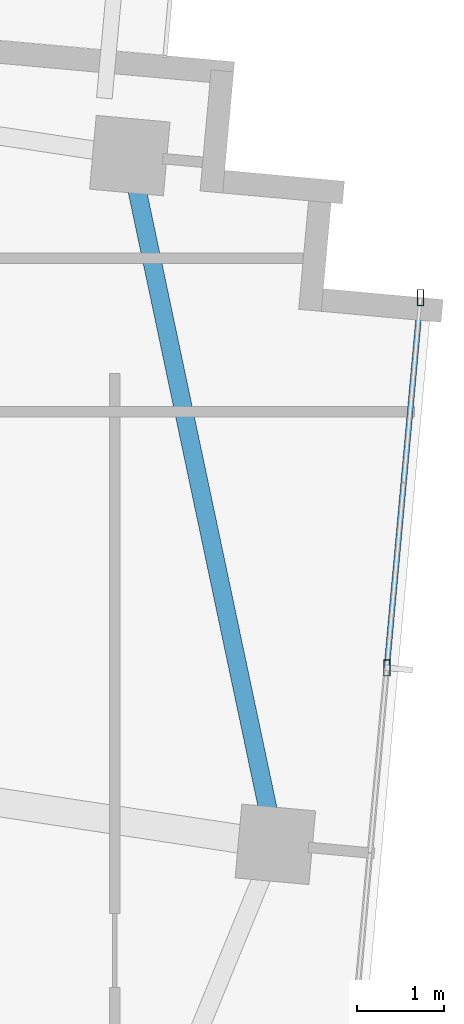
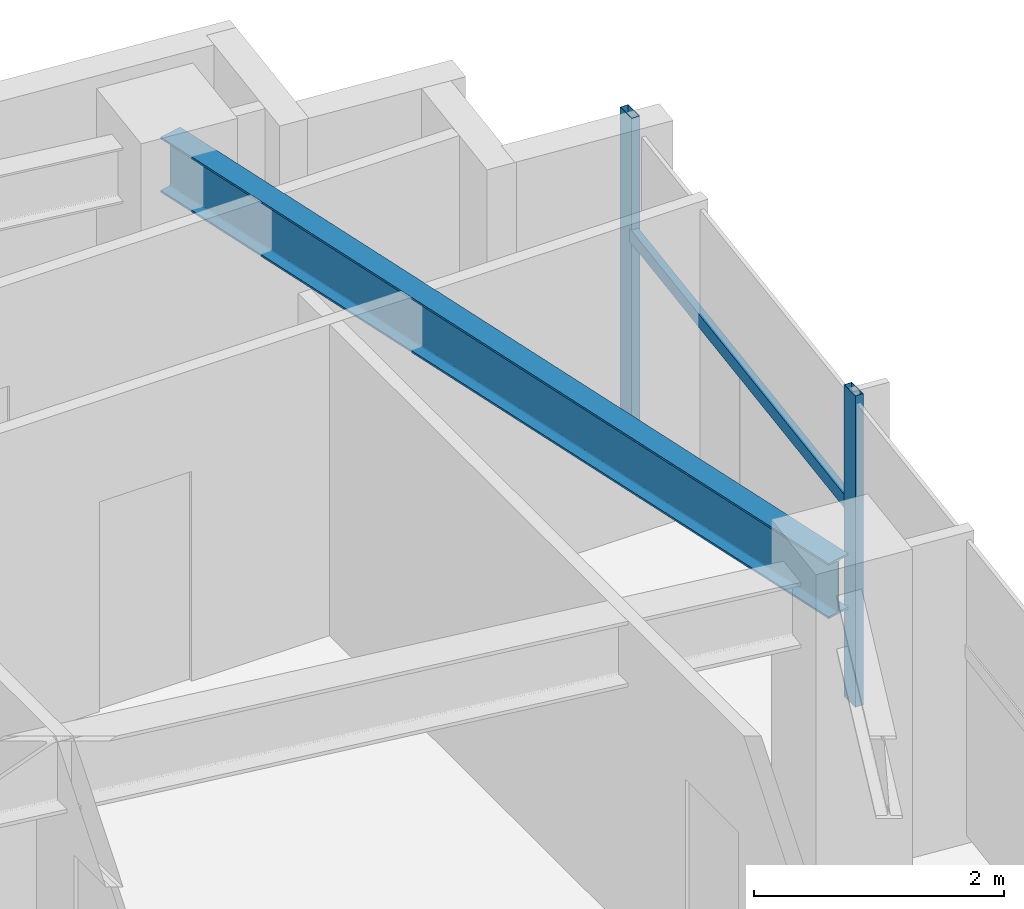
# One storey, part 14 of 22: 3 members, 1 beam, 1 element without a shape of its own.
"""IFC4 building model written with IfcOpenShell, lengths in metres."""

from ifc_helpers import new_model, si_unit, direction, frame, origin, origin_2d, place, context, subcontext, project, spatial, hollow_rectangle, i_section, extrude, source, transform, mapped, material, material_profile, profile_set, type_object, type_shapes, element, aggregate, save


model = new_model("IFC4")

# Units and contexts
model_context = context("Model", 3, precision=1e-05, world=origin(), true_north=direction((0.0, 1.0)))
body_context = subcontext(model_context, "Body", "Model", "MODEL_VIEW")
ifc_project = project(units=[si_unit("LENGTHUNIT", "METRE"), si_unit("AREAUNIT", "SQUARE_METRE"), si_unit("VOLUMEUNIT", "CUBIC_METRE"), si_unit("PLANEANGLEUNIT", "RADIAN"), si_unit("MASSUNIT", "GRAM", prefix="KILO")], contexts=[model_context])

# Site, building, storey
site_placement = place(None, origin())
site = spatial("IfcSite", under=ifc_project, at=site_placement, CompositionType="ELEMENT")
building_placement = place(site_placement, origin())
building = spatial("IfcBuilding", under=site, at=building_placement, Name="Astriad Promenade Condominiums", CompositionType="ELEMENT")
storey_placement = place(building_placement, frame((0.0, 0.0, 239.699951171875)))
storey = spatial("IfcBuildingStorey", under=building, at=storey_placement, Name="L69", CompositionType="ELEMENT", Elevation=239.699951171875)

# Beam
ifc_material_1 = material(Name="Steel ASTM A992 Grade 50", Category="steel")
ifc_material_profile_1 = material_profile(ifc_material_1, i_section(OverallWidth=0.210693359375, OverallDepth=0.53955078125, WebThickness=0.01171875, FlangeThickness=0.018798828125, FilletRadius=0.0166015625, at=origin_2d()), Name="W21X73")
ifc_profile_set_1 = profile_set([ifc_material_profile_1], Name="Steel ASTM A992 Grade 50")
beam_type = type_object("IfcBeamType", Name="STEEL SPANDREL BEAM W21X73", PredefinedType="SPANDREL", material=ifc_profile_set_1)
shared_shape_1 = source(origin(), body_context, "Body", "SweptSolid", [
    extrude(i_section(OverallWidth=0.210693359375, OverallDepth=0.53955078125, WebThickness=0.01171875, FlangeThickness=0.018798828125, FilletRadius=0.0166015625, at=origin_2d()), origin(), (0.0, 0.0, 1.0), 7.99853515625),
])
type_shapes(beam_type, [shared_shape_1])
beam_placement = place(storey_placement, frame((54.88037109375, 16.02880859375, 2.770263671875), z_axis=(-0.20676418926, 0.978390806396, 0.0), x_axis=(-0.978390806396, -0.20676418926, 0.0)))
element("IfcBeam", 1, at=beam_placement, inside=storey, type_object=beam_type, Name="Perimeter Spandrel Beam SP-E2-L69", PredefinedType="SPANDREL", context=body_context, shape_type="MappedRepresentation", body=[
    mapped(shared_shape_1, transform((0.0, 0.0, 0.0), scale=1.0)),
])

# Curtain wall, members
ifc_material_2 = material(Name="Anodised aluminium Black Dark Glass Unitised", Category="aluminium")
curtain_wall_type = type_object("IfcCurtainWallType", Name="CW-B5-DARK", PredefinedType="USERDEFINED", material=ifc_material_2)
curtain_wall_placement = place(storey_placement, origin())
curtain_wall = element("IfcCurtainWall", 2, at=curtain_wall_placement, inside=storey, type_object=curtain_wall_type, Name="CW-L69-E", ObjectType="UNITISED_CURTAIN_WALL", PredefinedType="USERDEFINED")
ifc_material_3 = material(Name="Anodised aluminium 6063-T6 Black", Category="aluminium")
ifc_material_profile_2 = material_profile(ifc_material_3, hollow_rectangle(XDim=0.06494140625, YDim=0.1298828125, WallThickness=0.00390625, at=origin_2d()), Name="ALU-TRN-65X130")
ifc_profile_set_2 = profile_set([ifc_material_profile_2], Name="Anodised aluminium 6063-T6 Black")
member_type_1 = type_object("IfcMemberType", Name="TRN-ALU-TRN-65X130", PredefinedType="USERDEFINED", material=ifc_profile_set_2)
shared_shape_2 = source(origin(), body_context, "Body", "SweptSolid", [
    extrude(hollow_rectangle(XDim=0.06494140625, YDim=0.1298828125, WallThickness=0.00390625, at=origin_2d()), origin(), (0.0, 0.0, 1.0), 4.2666015625),
])
type_shapes(member_type_1, [shared_shape_2])
member_1_placement = place(storey_placement, frame((56.55419921875, 22.2646484375, 1.884765625), z_axis=(-0.090638931954, -0.99588382054, 0.0), x_axis=(0.99588382054, -0.090638931954, 0.0)))
member_1 = element("IfcMember", 3, at=member_1_placement, type_object=member_type_1, Name="CW-L69-E-TRN-00-0", ObjectType="TRANSOM", PredefinedType="USERDEFINED", context=body_context, shape_type="MappedRepresentation", body=[
    mapped(shared_shape_2, transform((0.0, 0.0, 0.0), scale=1.0)),
])
ifc_material_profile_3 = material_profile(ifc_material_3, hollow_rectangle(XDim=0.074951171875, YDim=0.18505859375, WallThickness=0.00439453125, at=origin_2d()), Name="ALU-MUL-75X185")
ifc_profile_set_3 = profile_set([ifc_material_profile_3], Name="Anodised aluminium 6063-T6 Black")
member_type_2 = type_object("IfcMemberType", Name="MUL-ALU-MUL-75X185", PredefinedType="MULLION", material=ifc_profile_set_3)
shared_shape_3 = source(origin(), body_context, "Body", "SweptSolid", [
    extrude(hollow_rectangle(XDim=0.074951171875, YDim=0.18505859375, WallThickness=0.00439453125, at=origin_2d()), origin(), (0.0, 0.0, 1.0), 3.0400390625),
])
type_shapes(member_type_2, [shared_shape_3])
member_2_placement = place(storey_placement, frame((56.55419921875, 22.2646484375, 0.0), z_axis=(0.0, 0.0, 1.0), x_axis=(1.0, 0.0, 0.0)))
member_2 = element("IfcMember", 4, at=member_2_placement, type_object=member_type_2, Name="CW-L69-E-MUL-00", PredefinedType="MULLION", context=body_context, shape_type="MappedRepresentation", body=[
    mapped(shared_shape_3, transform((0.0, 0.0, 0.0), scale=1.0)),
])
member_3_placement = place(storey_placement, frame((56.16748046875, 18.015625, 0.0), z_axis=(0.0, 0.0, 1.0), x_axis=(1.0, 0.0, 0.0)))
member_3 = element("IfcMember", 5, at=member_3_placement, type_object=member_type_2, Name="CW-L69-E-MUL-01", PredefinedType="MULLION", context=body_context, shape_type="MappedRepresentation", body=[
    mapped(shared_shape_3, transform((0.0, 0.0, 0.0), scale=1.0)),
])
aggregate(curtain_wall, [member_2, member_3, member_1])

save(model, "model.ifc")
